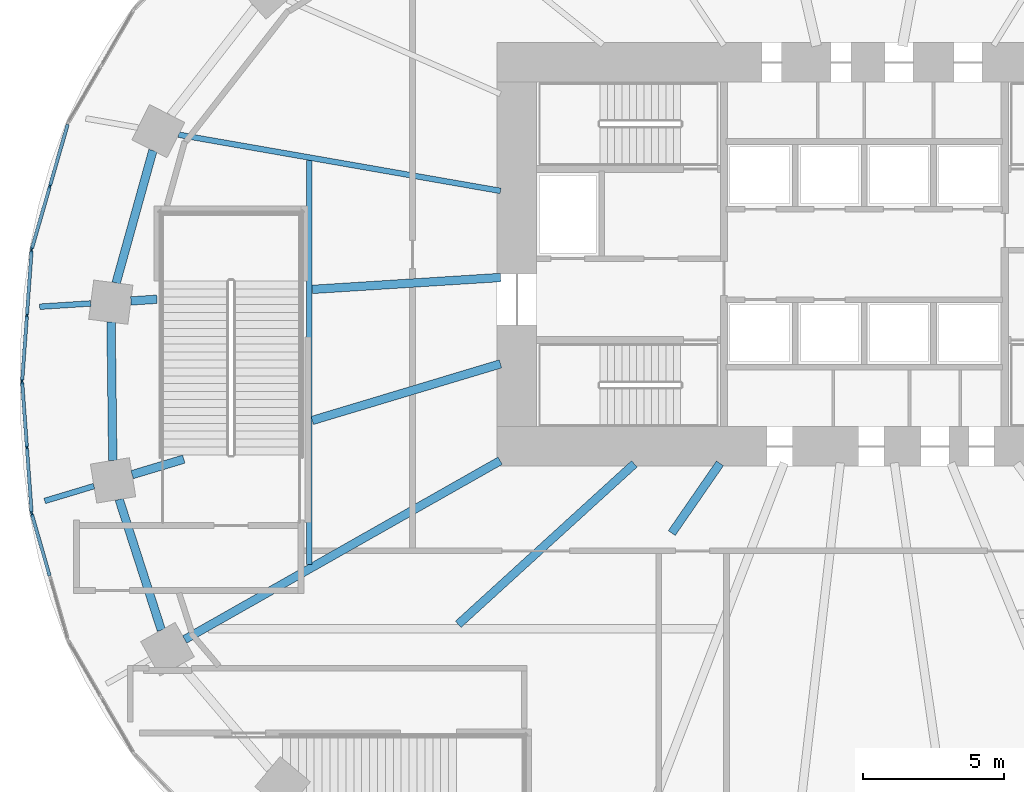
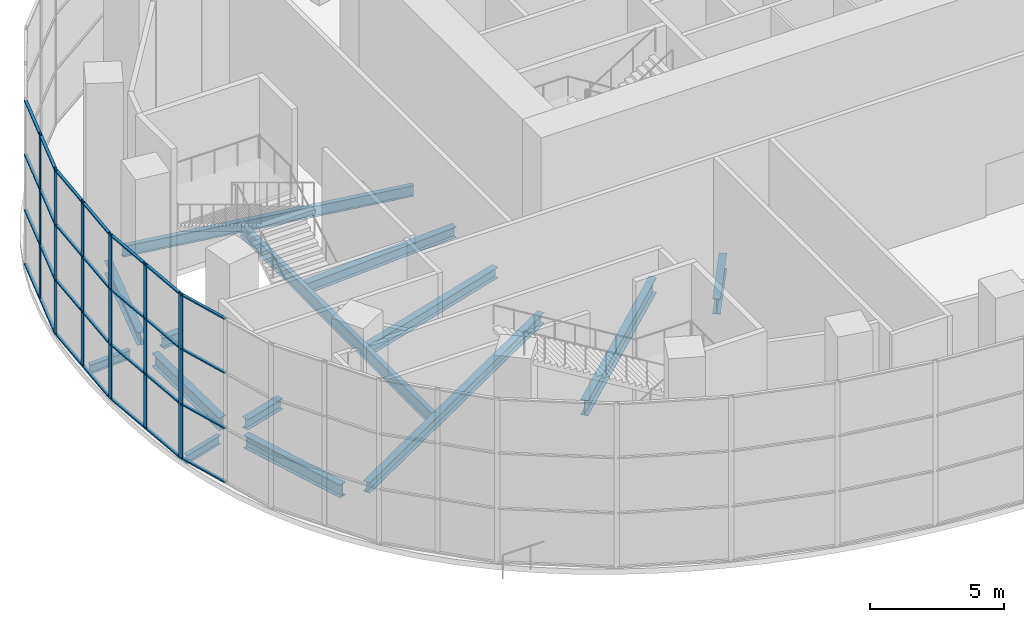
# One storey, part 4 of 22: 34 members, 14 beams, 4 elements without a shape of their own.
"""IFC4 building model written with IfcOpenShell, lengths in metres."""

from ifc_helpers import new_model, si_unit, direction, frame, origin, origin_2d, place, context, subcontext, project, spatial, rectangle, i_section, extrude, material, material_profile, profile_set, type_object, element, aggregate, save


model = new_model("IFC4")

# Units and contexts
model_context = context("Model", 3, precision=1e-05, world=origin(), true_north=direction((0.0, 1.0)))
body_context = subcontext(model_context, "Body", "Model", "MODEL_VIEW")
ifc_project = project(units=[si_unit("LENGTHUNIT", "METRE"), si_unit("AREAUNIT", "SQUARE_METRE"), si_unit("VOLUMEUNIT", "CUBIC_METRE"), si_unit("PLANEANGLEUNIT", "RADIAN"), si_unit("MASSUNIT", "GRAM", prefix="KILO")], contexts=[model_context])

# Site, building, storey
site_placement = place(None, origin())
site = spatial("IfcSite", under=ifc_project, at=site_placement, CompositionType="ELEMENT")
building_placement = place(site_placement, origin())
building = spatial("IfcBuilding", under=site, at=building_placement, Name="Rubra Terraces Tower", CompositionType="ELEMENT")
storey_placement = place(building_placement, frame((0.0, 0.0, 7.199951171875)))
storey = spatial("IfcBuildingStorey", under=building, at=storey_placement, Name="L01", CompositionType="ELEMENT", Elevation=7.199951171875)

# Beams
ifc_material_1 = material(Name="Steel Q355B", Category="steel")
ifc_material_profile_1 = material_profile(ifc_material_1, i_section(OverallWidth=0.199951171875, OverallDepth=0.39990234375, WebThickness=0.008056640625, FlangeThickness=0.012939453125, at=origin_2d()), Name="HN 400x200x8x13")
ifc_profile_set_1 = profile_set([ifc_material_profile_1], Name="Steel Q355B")
beam_type_1 = type_object("IfcBeamType", Name="CANTILEVER BEAM HN 400x200x8x13", PredefinedType="BEAM", material=ifc_profile_set_1)
beam_1_placement = place(storey_placement, frame((-27.39599609375, 2.762939453125, -0.449951171875), z_axis=(-0.997981102524, -0.063511565909, 0.0), x_axis=(0.063511565909, -0.997981102524, 0.0)))
element("IfcBeam", 1, at=beam_1_placement, inside=storey, type_object=beam_type_1, Name="beam-L01-cant-12", PredefinedType="BEAM", context=body_context, shape_type="SweptSolid", body=[
    extrude(i_section(OverallWidth=0.199951171875, OverallDepth=0.39990234375, WebThickness=0.008056640625, FlangeThickness=0.012939453125, at=origin_2d()), origin(), (0.0, 0.0, 1.0), 1.810546875),
])
beam_2_placement = place(storey_placement, frame((-27.281005859375, -3.7060546875, -0.449951171875), z_axis=(-0.95756392402, -0.28822097671, 0.0), x_axis=(0.28822097671, -0.95756392402, 0.0)))
element("IfcBeam", 2, at=beam_2_placement, inside=storey, type_object=beam_type_1, Name="beam-L01-cant-13", PredefinedType="BEAM", context=body_context, shape_type="SweptSolid", body=[
    extrude(i_section(OverallWidth=0.199951171875, OverallDepth=0.39990234375, WebThickness=0.008056640625, FlangeThickness=0.012939453125, at=origin_2d()), origin(), (0.0, 0.0, 1.0), 1.8212890625),
])
ifc_material_profile_2 = material_profile(ifc_material_1, i_section(OverallWidth=0.300048828125, OverallDepth=0.48193359375, WebThickness=0.010986328125, FlangeThickness=0.014892578125, at=origin_2d()), Name="HM 482x300x11x15")
ifc_profile_set_2 = profile_set([ifc_material_profile_2], Name="Steel Q355B")
beam_type_2 = type_object("IfcBeamType", Name="FLOOR BEAM HM 482x300x11x15", PredefinedType="BEAM", material=ifc_profile_set_2)
beam_3_placement = place(storey_placement, frame((-25.971923828125, 2.85302734375, -0.490966796875), z_axis=(0.997952606067, 0.063957767656, 0.0), x_axis=(-0.063957767656, 0.997952606067, 0.0)))
element("IfcBeam", 3, at=beam_3_placement, inside=storey, type_object=beam_type_2, Name="beam-L01-floor-12-a", PredefinedType="BEAM", context=body_context, shape_type="SweptSolid", body=[
    extrude(i_section(OverallWidth=0.300048828125, OverallDepth=0.48193359375, WebThickness=0.010986328125, FlangeThickness=0.014892578125, at=origin_2d()), origin(), (0.0, 0.0, 1.0), 0.923828125),
])
beam_4_placement = place(storey_placement, frame((-19.550048828125, 3.260986328125, -0.490966796875), z_axis=(0.998003521205, 0.063158306364, 0.0), x_axis=(-0.063158306364, 0.998003521205, 0.0)))
element("IfcBeam", 4, at=beam_4_placement, inside=storey, type_object=beam_type_2, Name="beam-L01-floor-12-b", PredefinedType="BEAM", context=body_context, shape_type="SweptSolid", body=[
    extrude(i_section(OverallWidth=0.300048828125, OverallDepth=0.48193359375, WebThickness=0.010986328125, FlangeThickness=0.014892578125, at=origin_2d()), origin(), (0.0, 0.0, 1.0), 6.68359375),
])
beam_5_placement = place(storey_placement, frame((-25.928955078125, -3.300048828125, -0.490966796875), z_axis=(0.957526889741, 0.288343988011, 0.0), x_axis=(-0.288343988011, 0.957526889741, 0.0)))
element("IfcBeam", 5, at=beam_5_placement, inside=storey, type_object=beam_type_2, Name="beam-L01-floor-13-a", PredefinedType="BEAM", context=body_context, shape_type="SweptSolid", body=[
    extrude(i_section(OverallWidth=0.300048828125, OverallDepth=0.48193359375, WebThickness=0.010986328125, FlangeThickness=0.014892578125, at=origin_2d()), origin(), (0.0, 0.0, 1.0), 1.910888671875),
])
beam_6_placement = place(storey_placement, frame((-19.550048828125, -1.381103515625, -0.490966796875), z_axis=(0.95760395175, 0.288087958085, 0.0), x_axis=(-0.288087958085, 0.95760395175, 0.0)))
element("IfcBeam", 6, at=beam_6_placement, inside=storey, type_object=beam_type_2, Name="beam-L01-floor-13-b", PredefinedType="BEAM", context=body_context, shape_type="SweptSolid", body=[
    extrude(i_section(OverallWidth=0.300048828125, OverallDepth=0.48193359375, WebThickness=0.010986328125, FlangeThickness=0.014892578125, at=origin_2d()), origin(), (0.0, 0.0, 1.0), 6.960205078125),
])
beam_7_placement = place(storey_placement, frame((-24.06689453125, -9.137939453125, -0.490966796875), z_axis=(0.869992824144, 0.493064383157, 0.0), x_axis=(-0.493064383157, 0.869992824144, 0.0)))
element("IfcBeam", 7, at=beam_7_placement, inside=storey, type_object=beam_type_2, Name="beam-L01-floor-14", PredefinedType="BEAM", context=body_context, shape_type="SweptSolid", body=[
    extrude(i_section(OverallWidth=0.300048828125, OverallDepth=0.48193359375, WebThickness=0.010986328125, FlangeThickness=0.014892578125, at=origin_2d()), origin(), (0.0, 0.0, 1.0), 12.84033203125),
])
ifc_material_profile_3 = material_profile(ifc_material_1, i_section(OverallWidth=0.198974609375, OverallDepth=0.49609375, WebThickness=0.009033203125, FlangeThickness=0.013916015625, at=origin_2d()), Name="HN 496x199x9x14")
ifc_profile_set_3 = profile_set([ifc_material_profile_3], Name="Steel Q355B")
beam_type_3 = type_object("IfcBeamType", Name="FLOOR BEAM HN 496x199x9x14", PredefinedType="BEAM", material=ifc_profile_set_3)
beam_8_placement = place(storey_placement, frame((-24.282958984375, 8.739990234375, -0.498046875), z_axis=(0.985091834527, -0.172029292701, 0.0), x_axis=(0.172029292701, 0.985091834527, 0.0)))
element("IfcBeam", 8, at=beam_8_placement, inside=storey, type_object=beam_type_3, Name="beam-L01-floor-11", PredefinedType="BEAM", context=body_context, shape_type="SweptSolid", body=[
    extrude(i_section(OverallWidth=0.198974609375, OverallDepth=0.49609375, WebThickness=0.009033203125, FlangeThickness=0.013916015625, at=origin_2d()), origin(), (0.0, 0.0, 1.0), 11.573486328125),
])
ifc_material_profile_4 = material_profile(ifc_material_1, i_section(OverallWidth=0.300048828125, OverallDepth=0.699951171875, WebThickness=0.012939453125, FlangeThickness=0.02392578125, at=origin_2d()), Name="HN 700x300x13x24")
ifc_profile_set_4 = profile_set([ifc_material_profile_4], Name="Steel Q355B")
beam_type_4 = type_object("IfcBeamType", Name="FLOOR BEAM HN 700x300x13x24", PredefinedType="BEAM", material=ifc_profile_set_4)
beam_9_placement = place(storey_placement, frame((-14.3798828125, -8.60009765625, -0.599853515625), z_axis=(0.739219389945, 0.673464693603, 0.0), x_axis=(-0.673464693603, 0.739219389945, 0.0)))
element("IfcBeam", 9, at=beam_9_placement, inside=storey, type_object=beam_type_4, Name="beam-L01-floor-15-a", PredefinedType="BEAM", context=body_context, shape_type="SweptSolid", body=[
    extrude(i_section(OverallWidth=0.300048828125, OverallDepth=0.699951171875, WebThickness=0.012939453125, FlangeThickness=0.02392578125, at=origin_2d()), origin(), (0.0, 0.0, 1.0), 8.435791015625),
])
beam_10_placement = place(storey_placement, frame((-6.818115234375, -5.368896484375, -0.599853515625), z_axis=(0.568409833772, 0.822745562657, 0.0), x_axis=(-0.822745562657, 0.568409833772, 0.0)))
element("IfcBeam", 10, at=beam_10_placement, inside=storey, type_object=beam_type_4, Name="beam-L01-floor-16-a", PredefinedType="BEAM", context=body_context, shape_type="SweptSolid", body=[
    extrude(i_section(OverallWidth=0.300048828125, OverallDepth=0.699951171875, WebThickness=0.012939453125, FlangeThickness=0.02392578125, at=origin_2d()), origin(), (0.0, 0.0, 1.0), 2.999755859375),
])

# Curtain wall, member
ifc_material_2 = material(Name="Aluminium and glass", Category="aluminium")
curtain_wall_type = type_object("IfcCurtainWallType", Name="Curtain wall Podium glazing", PredefinedType="NOTDEFINED", material=ifc_material_2)
curtain_wall_1_placement = place(storey_placement, origin())
curtain_wall_1 = element("IfcCurtainWall", 11, at=curtain_wall_1_placement, inside=storey, type_object=curtain_wall_type, Name="L01 glazing bay 19", PredefinedType="NOTDEFINED")
ifc_material_3 = material(Name="Aluminium, anodised dark grey", Category="aluminium")
ifc_material_profile_5 = material_profile(ifc_material_3, rectangle(XDim=0.06005859375, YDim=0.199951171875, at=origin_2d()), Name="AL 60x200")
ifc_profile_set_5 = profile_set([ifc_material_profile_5], Name="Aluminium, anodised dark grey")
member_type_1 = type_object("IfcMemberType", Name="Podium glazing mullion 60 x 200", PredefinedType="MULLION", material=ifc_profile_set_5)
member_1_placement = place(storey_placement, frame((-28.843505859375, 6.912841796875, 0.0), z_axis=(0.0, 0.0, 1.0), x_axis=(0.961047339404, -0.276383811798, 0.0)))
member_1 = element("IfcMember", 12, at=member_1_placement, type_object=member_type_1, Name="CW1 mullion 2", PredefinedType="MULLION", context=body_context, shape_type="SweptSolid", body=[
    extrude(rectangle(XDim=0.06005859375, YDim=0.199951171875, at=origin_2d()), origin(), (0.0, 0.0, 1.0), 7.550048828125),
])

# Curtain wall, members
curtain_wall_2_placement = place(storey_placement, origin())
curtain_wall_2 = element("IfcCurtainWall", 13, at=curtain_wall_2_placement, inside=storey, type_object=curtain_wall_type, Name="L01 glazing bay 20", PredefinedType="NOTDEFINED")
member_2_placement = place(storey_placement, frame((-29.490234375, 4.646728515625, 0.0), z_axis=(0.0, 0.0, 1.0), x_axis=(0.997419621076, -0.071792057306, 0.0)))
member_2 = element("IfcMember", 14, at=member_2_placement, type_object=member_type_1, Name="CW1 mullion 1", PredefinedType="MULLION", context=body_context, shape_type="SweptSolid", body=[
    extrude(rectangle(XDim=0.06005859375, YDim=0.199951171875, at=origin_2d()), origin(), (0.0, 0.0, 1.0), 7.550048828125),
])
member_3_placement = place(storey_placement, frame((-29.65673828125, 2.335693359375, 0.0), z_axis=(0.0, 0.0, 1.0), x_axis=(0.997419621076, -0.071792057306, 0.0)))
member_3 = element("IfcMember", 15, at=member_3_placement, type_object=member_type_1, Name="CW1 mullion 2", PredefinedType="MULLION", context=body_context, shape_type="SweptSolid", body=[
    extrude(rectangle(XDim=0.06005859375, YDim=0.199951171875, at=origin_2d()), origin(), (0.0, 0.0, 1.0), 7.550048828125),
])

curtain_wall_3_placement = place(storey_placement, origin())
curtain_wall_3 = element("IfcCurtainWall", 16, at=curtain_wall_3_placement, inside=storey, type_object=curtain_wall_type, Name="L01 glazing bay 21", PredefinedType="NOTDEFINED")
member_4_placement = place(storey_placement, frame((-29.822998046875, -0.0244140625, 0.0), z_axis=(0.0, 0.0, 1.0), x_axis=(0.997419621076, 0.071792057306, 0.0)))
member_4 = element("IfcMember", 17, at=member_4_placement, type_object=member_type_1, Name="CW1 mullion 1", PredefinedType="MULLION", context=body_context, shape_type="SweptSolid", body=[
    extrude(rectangle(XDim=0.06005859375, YDim=0.199951171875, at=origin_2d()), origin(), (0.0, 0.0, 1.0), 7.550048828125),
])
member_5_placement = place(storey_placement, frame((-29.65673828125, -2.335693359375, 0.0), z_axis=(0.0, 0.0, 1.0), x_axis=(0.997419621076, 0.071792057306, 0.0)))
member_5 = element("IfcMember", 18, at=member_5_placement, type_object=member_type_1, Name="CW1 mullion 2", PredefinedType="MULLION", context=body_context, shape_type="SweptSolid", body=[
    extrude(rectangle(XDim=0.06005859375, YDim=0.199951171875, at=origin_2d()), origin(), (0.0, 0.0, 1.0), 7.550048828125),
])

# Curtain wall, member
curtain_wall_4_placement = place(storey_placement, origin())
curtain_wall_4 = element("IfcCurtainWall", 19, at=curtain_wall_4_placement, inside=storey, type_object=curtain_wall_type, Name="L01 glazing bay 22", PredefinedType="NOTDEFINED")
member_6_placement = place(storey_placement, frame((-29.482666015625, -4.690185546875, 0.0), z_axis=(0.0, 0.0, 1.0), x_axis=(0.961047339404, 0.276383811798, 0.0)))
member_6 = element("IfcMember", 20, at=member_6_placement, type_object=member_type_1, Name="CW1 mullion 1", PredefinedType="MULLION", context=body_context, shape_type="SweptSolid", body=[
    extrude(rectangle(XDim=0.06005859375, YDim=0.199951171875, at=origin_2d()), origin(), (0.0, 0.0, 1.0), 7.550048828125),
])

# Member
ifc_material_profile_6 = material_profile(ifc_material_3, rectangle(XDim=0.1201171875, YDim=0.06005859375, at=origin_2d()), Name="AL 120x60")
ifc_profile_set_6 = profile_set([ifc_material_profile_6], Name="Aluminium, anodised dark grey")
member_type_2 = type_object("IfcMemberType", Name="Podium glazing transom 120 x 60", PredefinedType="USERDEFINED", material=ifc_profile_set_6)
member_7_placement = place(storey_placement, frame((-28.21240234375, 9.106689453125, 0.06005859375), z_axis=(-0.276452561882, -0.961027565177, 0.0), x_axis=(0.961027565177, -0.276452561882, 0.0)))
member_7 = element("IfcMember", 21, at=member_7_placement, type_object=member_type_2, Name="CW1 transom 1.1", ObjectType="TRANSOM", PredefinedType="USERDEFINED", context=body_context, shape_type="SweptSolid", body=[
    extrude(rectangle(XDim=0.1201171875, YDim=0.06005859375, at=origin_2d()), origin(), (0.0, 0.0, 1.0), 2.2529296875),
])

member_8_placement = place(storey_placement, frame((-28.21240234375, 9.106689453125, 2.516845703125), z_axis=(-0.276452561882, -0.961027565177, 0.0), x_axis=(0.961027565177, -0.276452561882, 0.0)))
member_8 = element("IfcMember", 22, at=member_8_placement, type_object=member_type_2, Name="CW1 transom 1.2", ObjectType="TRANSOM", PredefinedType="USERDEFINED", context=body_context, shape_type="SweptSolid", body=[
    extrude(rectangle(XDim=0.1201171875, YDim=0.06005859375, at=origin_2d()), origin(), (0.0, 0.0, 1.0), 2.2529296875),
])

member_9_placement = place(storey_placement, frame((-28.21240234375, 9.106689453125, 5.033447265625), z_axis=(-0.276452561882, -0.961027565177, 0.0), x_axis=(0.961027565177, -0.276452561882, 0.0)))
member_9 = element("IfcMember", 23, at=member_9_placement, type_object=member_type_2, Name="CW1 transom 1.3", ObjectType="TRANSOM", PredefinedType="USERDEFINED", context=body_context, shape_type="SweptSolid", body=[
    extrude(rectangle(XDim=0.1201171875, YDim=0.06005859375, at=origin_2d()), origin(), (0.0, 0.0, 1.0), 2.2529296875),
])

member_10_placement = place(storey_placement, frame((-28.21240234375, 9.106689453125, 7.489990234375), z_axis=(-0.276452561882, -0.961027565177, 0.0), x_axis=(0.961027565177, -0.276452561882, 0.0)))
member_10 = element("IfcMember", 24, at=member_10_placement, type_object=member_type_2, Name="CW1 transom 1.4", ObjectType="TRANSOM", PredefinedType="USERDEFINED", context=body_context, shape_type="SweptSolid", body=[
    extrude(rectangle(XDim=0.1201171875, YDim=0.06005859375, at=origin_2d()), origin(), (0.0, 0.0, 1.0), 2.2529296875),
])

member_11_placement = place(storey_placement, frame((-28.851806640625, 6.884033203125, 0.06005859375), z_axis=(-0.276352469421, -0.961056352481, 0.0), x_axis=(0.961056352481, -0.276352469421, 0.0)))
member_11 = element("IfcMember", 25, at=member_11_placement, type_object=member_type_2, Name="CW1 transom 2.1", ObjectType="TRANSOM", PredefinedType="USERDEFINED", context=body_context, shape_type="SweptSolid", body=[
    extrude(rectangle(XDim=0.1201171875, YDim=0.06005859375, at=origin_2d()), origin(), (0.0, 0.0, 1.0), 2.252685546875),
])

member_12_placement = place(storey_placement, frame((-28.851806640625, 6.884033203125, 2.516845703125), z_axis=(-0.276352469421, -0.961056352481, 0.0), x_axis=(0.961056352481, -0.276352469421, 0.0)))
member_12 = element("IfcMember", 26, at=member_12_placement, type_object=member_type_2, Name="CW1 transom 2.2", ObjectType="TRANSOM", PredefinedType="USERDEFINED", context=body_context, shape_type="SweptSolid", body=[
    extrude(rectangle(XDim=0.1201171875, YDim=0.06005859375, at=origin_2d()), origin(), (0.0, 0.0, 1.0), 2.252685546875),
])

member_13_placement = place(storey_placement, frame((-28.851806640625, 6.884033203125, 5.033447265625), z_axis=(-0.276352469421, -0.961056352481, 0.0), x_axis=(0.961056352481, -0.276352469421, 0.0)))
member_13 = element("IfcMember", 27, at=member_13_placement, type_object=member_type_2, Name="CW1 transom 2.3", ObjectType="TRANSOM", PredefinedType="USERDEFINED", context=body_context, shape_type="SweptSolid", body=[
    extrude(rectangle(XDim=0.1201171875, YDim=0.06005859375, at=origin_2d()), origin(), (0.0, 0.0, 1.0), 2.252685546875),
])

member_14_placement = place(storey_placement, frame((-28.851806640625, 6.884033203125, 7.489990234375), z_axis=(-0.276352469421, -0.961056352481, 0.0), x_axis=(0.961056352481, -0.276352469421, 0.0)))
member_14 = element("IfcMember", 28, at=member_14_placement, type_object=member_type_2, Name="CW1 transom 2.4", ObjectType="TRANSOM", PredefinedType="USERDEFINED", context=body_context, shape_type="SweptSolid", body=[
    extrude(rectangle(XDim=0.1201171875, YDim=0.06005859375, at=origin_2d()), origin(), (0.0, 0.0, 1.0), 2.252685546875),
])

aggregate(curtain_wall_1, [member_1, member_7, member_8, member_9, member_10, member_11, member_12, member_13, member_14])

member_15_placement = place(storey_placement, frame((-29.492431640625, 4.61669921875, 0.06005859375), z_axis=(-0.071823568166, -0.997417352494, 0.0), x_axis=(0.997417352494, -0.071823568166, 0.0)))
member_15 = element("IfcMember", 29, at=member_15_placement, type_object=member_type_2, Name="CW1 transom 1.1", ObjectType="TRANSOM", PredefinedType="USERDEFINED", context=body_context, shape_type="SweptSolid", body=[
    extrude(rectangle(XDim=0.1201171875, YDim=0.06005859375, at=origin_2d()), origin(), (0.0, 0.0, 1.0), 2.257080078125),
])

member_16_placement = place(storey_placement, frame((-29.492431640625, 4.61669921875, 2.516845703125), z_axis=(-0.071823568166, -0.997417352494, 0.0), x_axis=(0.997417352494, -0.071823568166, 0.0)))
member_16 = element("IfcMember", 30, at=member_16_placement, type_object=member_type_2, Name="CW1 transom 1.2", ObjectType="TRANSOM", PredefinedType="USERDEFINED", context=body_context, shape_type="SweptSolid", body=[
    extrude(rectangle(XDim=0.1201171875, YDim=0.06005859375, at=origin_2d()), origin(), (0.0, 0.0, 1.0), 2.257080078125),
])

member_17_placement = place(storey_placement, frame((-29.492431640625, 4.61669921875, 5.033447265625), z_axis=(-0.071823568166, -0.997417352494, 0.0), x_axis=(0.997417352494, -0.071823568166, 0.0)))
member_17 = element("IfcMember", 31, at=member_17_placement, type_object=member_type_2, Name="CW1 transom 1.3", ObjectType="TRANSOM", PredefinedType="USERDEFINED", context=body_context, shape_type="SweptSolid", body=[
    extrude(rectangle(XDim=0.1201171875, YDim=0.06005859375, at=origin_2d()), origin(), (0.0, 0.0, 1.0), 2.257080078125),
])

member_18_placement = place(storey_placement, frame((-29.492431640625, 4.61669921875, 7.489990234375), z_axis=(-0.071823568166, -0.997417352494, 0.0), x_axis=(0.997417352494, -0.071823568166, 0.0)))
member_18 = element("IfcMember", 32, at=member_18_placement, type_object=member_type_2, Name="CW1 transom 1.4", ObjectType="TRANSOM", PredefinedType="USERDEFINED", context=body_context, shape_type="SweptSolid", body=[
    extrude(rectangle(XDim=0.1201171875, YDim=0.06005859375, at=origin_2d()), origin(), (0.0, 0.0, 1.0), 2.257080078125),
])

member_19_placement = place(storey_placement, frame((-29.658935546875, 2.3056640625, 0.06005859375), z_axis=(-0.071715956886, -0.997425095698, 0.0), x_axis=(0.997425095698, -0.071715956886, 0.0)))
member_19 = element("IfcMember", 33, at=member_19_placement, type_object=member_type_2, Name="CW1 transom 2.1", ObjectType="TRANSOM", PredefinedType="USERDEFINED", context=body_context, shape_type="SweptSolid", body=[
    extrude(rectangle(XDim=0.1201171875, YDim=0.06005859375, at=origin_2d()), origin(), (0.0, 0.0, 1.0), 2.257080078125),
])

member_20_placement = place(storey_placement, frame((-29.658935546875, 2.3056640625, 2.516845703125), z_axis=(-0.071715956886, -0.997425095698, 0.0), x_axis=(0.997425095698, -0.071715956886, 0.0)))
member_20 = element("IfcMember", 34, at=member_20_placement, type_object=member_type_2, Name="CW1 transom 2.2", ObjectType="TRANSOM", PredefinedType="USERDEFINED", context=body_context, shape_type="SweptSolid", body=[
    extrude(rectangle(XDim=0.1201171875, YDim=0.06005859375, at=origin_2d()), origin(), (0.0, 0.0, 1.0), 2.257080078125),
])

member_21_placement = place(storey_placement, frame((-29.658935546875, 2.3056640625, 5.033447265625), z_axis=(-0.071715956886, -0.997425095698, 0.0), x_axis=(0.997425095698, -0.071715956886, 0.0)))
member_21 = element("IfcMember", 35, at=member_21_placement, type_object=member_type_2, Name="CW1 transom 2.3", ObjectType="TRANSOM", PredefinedType="USERDEFINED", context=body_context, shape_type="SweptSolid", body=[
    extrude(rectangle(XDim=0.1201171875, YDim=0.06005859375, at=origin_2d()), origin(), (0.0, 0.0, 1.0), 2.257080078125),
])

member_22_placement = place(storey_placement, frame((-29.658935546875, 2.3056640625, 7.489990234375), z_axis=(-0.071715956886, -0.997425095698, 0.0), x_axis=(0.997425095698, -0.071715956886, 0.0)))
member_22 = element("IfcMember", 36, at=member_22_placement, type_object=member_type_2, Name="CW1 transom 2.4", ObjectType="TRANSOM", PredefinedType="USERDEFINED", context=body_context, shape_type="SweptSolid", body=[
    extrude(rectangle(XDim=0.1201171875, YDim=0.06005859375, at=origin_2d()), origin(), (0.0, 0.0, 1.0), 2.257080078125),
])

aggregate(curtain_wall_2, [member_2, member_3, member_15, member_16, member_17, member_18, member_19, member_20, member_21, member_22])

member_23_placement = place(storey_placement, frame((-29.82080078125, -0.054443359375, 0.06005859375), z_axis=(0.071715956886, -0.997425095698, 0.0), x_axis=(0.997425095698, 0.071715956886, 0.0)))
member_23 = element("IfcMember", 37, at=member_23_placement, type_object=member_type_2, Name="CW1 transom 1.1", ObjectType="TRANSOM", PredefinedType="USERDEFINED", context=body_context, shape_type="SweptSolid", body=[
    extrude(rectangle(XDim=0.1201171875, YDim=0.06005859375, at=origin_2d()), origin(), (0.0, 0.0, 1.0), 2.257080078125),
])

member_24_placement = place(storey_placement, frame((-29.82080078125, -0.054443359375, 2.516845703125), z_axis=(0.071715956886, -0.997425095698, 0.0), x_axis=(0.997425095698, 0.071715956886, 0.0)))
member_24 = element("IfcMember", 38, at=member_24_placement, type_object=member_type_2, Name="CW1 transom 1.2", ObjectType="TRANSOM", PredefinedType="USERDEFINED", context=body_context, shape_type="SweptSolid", body=[
    extrude(rectangle(XDim=0.1201171875, YDim=0.06005859375, at=origin_2d()), origin(), (0.0, 0.0, 1.0), 2.257080078125),
])

member_25_placement = place(storey_placement, frame((-29.82080078125, -0.054443359375, 5.033447265625), z_axis=(0.071715956886, -0.997425095698, 0.0), x_axis=(0.997425095698, 0.071715956886, 0.0)))
member_25 = element("IfcMember", 39, at=member_25_placement, type_object=member_type_2, Name="CW1 transom 1.3", ObjectType="TRANSOM", PredefinedType="USERDEFINED", context=body_context, shape_type="SweptSolid", body=[
    extrude(rectangle(XDim=0.1201171875, YDim=0.06005859375, at=origin_2d()), origin(), (0.0, 0.0, 1.0), 2.257080078125),
])

member_26_placement = place(storey_placement, frame((-29.82080078125, -0.054443359375, 7.489990234375), z_axis=(0.071715956886, -0.997425095698, 0.0), x_axis=(0.997425095698, 0.071715956886, 0.0)))
member_26 = element("IfcMember", 40, at=member_26_placement, type_object=member_type_2, Name="CW1 transom 1.4", ObjectType="TRANSOM", PredefinedType="USERDEFINED", context=body_context, shape_type="SweptSolid", body=[
    extrude(rectangle(XDim=0.1201171875, YDim=0.06005859375, at=origin_2d()), origin(), (0.0, 0.0, 1.0), 2.257080078125),
])

member_27_placement = place(storey_placement, frame((-29.654541015625, -2.365478515625, 0.06005859375), z_axis=(0.071823568166, -0.997417352494, 0.0), x_axis=(0.997417352494, 0.071823568166, 0.0)))
member_27 = element("IfcMember", 41, at=member_27_placement, type_object=member_type_2, Name="CW1 transom 2.1", ObjectType="TRANSOM", PredefinedType="USERDEFINED", context=body_context, shape_type="SweptSolid", body=[
    extrude(rectangle(XDim=0.1201171875, YDim=0.06005859375, at=origin_2d()), origin(), (0.0, 0.0, 1.0), 2.257080078125),
])

member_28_placement = place(storey_placement, frame((-29.654541015625, -2.365478515625, 2.516845703125), z_axis=(0.071823568166, -0.997417352494, 0.0), x_axis=(0.997417352494, 0.071823568166, 0.0)))
member_28 = element("IfcMember", 42, at=member_28_placement, type_object=member_type_2, Name="CW1 transom 2.2", ObjectType="TRANSOM", PredefinedType="USERDEFINED", context=body_context, shape_type="SweptSolid", body=[
    extrude(rectangle(XDim=0.1201171875, YDim=0.06005859375, at=origin_2d()), origin(), (0.0, 0.0, 1.0), 2.257080078125),
])

member_29_placement = place(storey_placement, frame((-29.654541015625, -2.365478515625, 5.033447265625), z_axis=(0.071823568166, -0.997417352494, 0.0), x_axis=(0.997417352494, 0.071823568166, 0.0)))
member_29 = element("IfcMember", 43, at=member_29_placement, type_object=member_type_2, Name="CW1 transom 2.3", ObjectType="TRANSOM", PredefinedType="USERDEFINED", context=body_context, shape_type="SweptSolid", body=[
    extrude(rectangle(XDim=0.1201171875, YDim=0.06005859375, at=origin_2d()), origin(), (0.0, 0.0, 1.0), 2.257080078125),
])

member_30_placement = place(storey_placement, frame((-29.654541015625, -2.365478515625, 7.489990234375), z_axis=(0.071823568166, -0.997417352494, 0.0), x_axis=(0.997417352494, 0.071823568166, 0.0)))
member_30 = element("IfcMember", 44, at=member_30_placement, type_object=member_type_2, Name="CW1 transom 2.4", ObjectType="TRANSOM", PredefinedType="USERDEFINED", context=body_context, shape_type="SweptSolid", body=[
    extrude(rectangle(XDim=0.1201171875, YDim=0.06005859375, at=origin_2d()), origin(), (0.0, 0.0, 1.0), 2.257080078125),
])

aggregate(curtain_wall_3, [member_4, member_5, member_23, member_24, member_25, member_26, member_27, member_28, member_29, member_30])

member_31_placement = place(storey_placement, frame((-29.474365234375, -4.718994140625, 0.06005859375), z_axis=(0.276352469421, -0.961056352481, 0.0), x_axis=(0.961056352481, 0.276352469421, 0.0)))
member_31 = element("IfcMember", 45, at=member_31_placement, type_object=member_type_2, Name="CW1 transom 1.1", ObjectType="TRANSOM", PredefinedType="USERDEFINED", context=body_context, shape_type="SweptSolid", body=[
    extrude(rectangle(XDim=0.1201171875, YDim=0.06005859375, at=origin_2d()), origin(), (0.0, 0.0, 1.0), 2.252685546875),
])

member_32_placement = place(storey_placement, frame((-29.474365234375, -4.718994140625, 2.516845703125), z_axis=(0.276352469421, -0.961056352481, 0.0), x_axis=(0.961056352481, 0.276352469421, 0.0)))
member_32 = element("IfcMember", 46, at=member_32_placement, type_object=member_type_2, Name="CW1 transom 1.2", ObjectType="TRANSOM", PredefinedType="USERDEFINED", context=body_context, shape_type="SweptSolid", body=[
    extrude(rectangle(XDim=0.1201171875, YDim=0.06005859375, at=origin_2d()), origin(), (0.0, 0.0, 1.0), 2.252685546875),
])

member_33_placement = place(storey_placement, frame((-29.474365234375, -4.718994140625, 5.033447265625), z_axis=(0.276352469421, -0.961056352481, 0.0), x_axis=(0.961056352481, 0.276352469421, 0.0)))
member_33 = element("IfcMember", 47, at=member_33_placement, type_object=member_type_2, Name="CW1 transom 1.3", ObjectType="TRANSOM", PredefinedType="USERDEFINED", context=body_context, shape_type="SweptSolid", body=[
    extrude(rectangle(XDim=0.1201171875, YDim=0.06005859375, at=origin_2d()), origin(), (0.0, 0.0, 1.0), 2.252685546875),
])

member_34_placement = place(storey_placement, frame((-29.474365234375, -4.718994140625, 7.489990234375), z_axis=(0.276352469421, -0.961056352481, 0.0), x_axis=(0.961056352481, 0.276352469421, 0.0)))
member_34 = element("IfcMember", 48, at=member_34_placement, type_object=member_type_2, Name="CW1 transom 1.4", ObjectType="TRANSOM", PredefinedType="USERDEFINED", context=body_context, shape_type="SweptSolid", body=[
    extrude(rectangle(XDim=0.1201171875, YDim=0.06005859375, at=origin_2d()), origin(), (0.0, 0.0, 1.0), 2.252685546875),
])

aggregate(curtain_wall_4, [member_6, member_31, member_32, member_33, member_34])

# Beams
ifc_material_profile_7 = material_profile(ifc_material_1, i_section(OverallWidth=0.300048828125, OverallDepth=0.587890625, WebThickness=0.011962890625, FlangeThickness=0.02001953125, at=origin_2d()), Name="HM 588x300x12x20")
ifc_profile_set_7 = profile_set([ifc_material_profile_7], Name="Steel Q355B")
beam_type_5 = type_object("IfcBeamType", Name="SPANDREL BEAM HM 588x300x12x20", PredefinedType="SPANDREL", material=ifc_profile_set_7)
beam_11_placement = place(storey_placement, frame((-25.194091796875, 8.177978515625, -0.5439453125), z_axis=(-0.267364386726, -0.96359549849, 0.0), x_axis=(0.96359549849, -0.267364386726, 0.0)))
element("IfcBeam", 49, at=beam_11_placement, inside=storey, type_object=beam_type_5, Name="beam-L01-spandrel-11", PredefinedType="SPANDREL", context=body_context, shape_type="SweptSolid", body=[
    extrude(i_section(OverallWidth=0.300048828125, OverallDepth=0.587890625, WebThickness=0.011962890625, FlangeThickness=0.02001953125, at=origin_2d()), origin(), (0.0, 0.0, 1.0), 4.8662109375),
])
beam_12_placement = place(storey_placement, frame((-26.675048828125, 2.10107421875, -0.5439453125), z_axis=(0.012465372298, -0.999922304228, 0.0), x_axis=(0.999922304228, 0.012465372298, 0.0)))
element("IfcBeam", 50, at=beam_12_placement, inside=storey, type_object=beam_type_5, Name="beam-L01-spandrel-12", PredefinedType="SPANDREL", context=body_context, shape_type="SweptSolid", body=[
    extrude(i_section(OverallWidth=0.300048828125, OverallDepth=0.587890625, WebThickness=0.011962890625, FlangeThickness=0.02001953125, at=origin_2d()), origin(), (0.0, 0.0, 1.0), 4.896484375),
])
beam_13_placement = place(storey_placement, frame((-26.387939453125, -4.177001953125, -0.5439453125), z_axis=(0.30706880261, -0.951687317591, 0.0), x_axis=(0.951687317591, 0.30706880261, 0.0)))
element("IfcBeam", 51, at=beam_13_placement, inside=storey, type_object=beam_type_5, Name="beam-L01-spandrel-13", PredefinedType="SPANDREL", context=body_context, shape_type="SweptSolid", body=[
    extrude(i_section(OverallWidth=0.300048828125, OverallDepth=0.587890625, WebThickness=0.011962890625, FlangeThickness=0.02001953125, at=origin_2d()), origin(), (0.0, 0.0, 1.0), 4.86181640625),
])
ifc_material_profile_8 = material_profile(ifc_material_1, i_section(OverallWidth=0.198974609375, OverallDepth=0.595947265625, WebThickness=0.010009765625, FlangeThickness=0.014892578125, at=origin_2d()), Name="HN 596x199x10x15")
ifc_profile_set_8 = profile_set([ifc_material_profile_8], Name="Steel Q355B")
beam_type_6 = type_object("IfcBeamType", Name="TRIMMER BEAM HN 596x199x10x15", PredefinedType="BEAM", material=ifc_profile_set_8)
beam_14_placement = place(storey_placement, frame((-19.64990234375, -6.485107421875, -0.5478515625), z_axis=(0.0, 1.0, 0.0), x_axis=(-1.0, 0.0, 0.0)))
element("IfcBeam", 52, at=beam_14_placement, inside=storey, type_object=beam_type_6, Name="beam-L01-header-1-xhi", PredefinedType="BEAM", context=body_context, shape_type="SweptSolid", body=[
    extrude(i_section(OverallWidth=0.198974609375, OverallDepth=0.595947265625, WebThickness=0.010009765625, FlangeThickness=0.014892578125, at=origin_2d()), origin(), (0.0, 0.0, 1.0), 14.317138671875),
])

save(model, "model.ifc")
